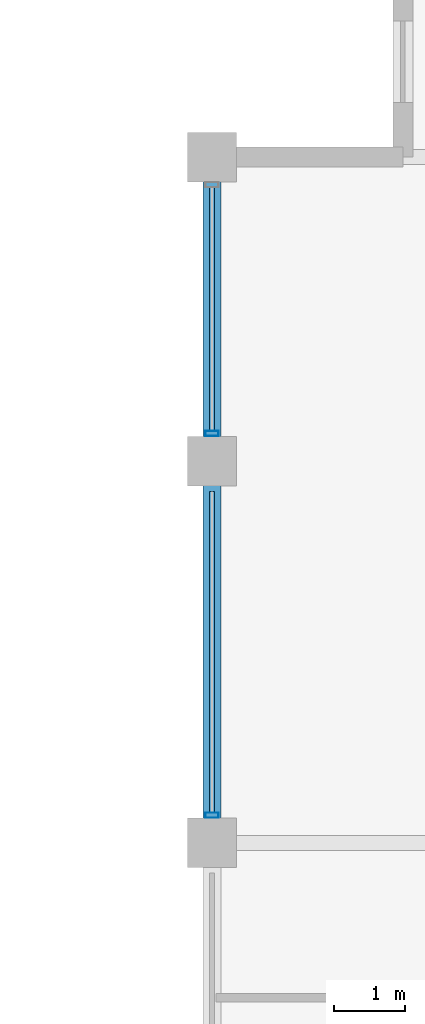
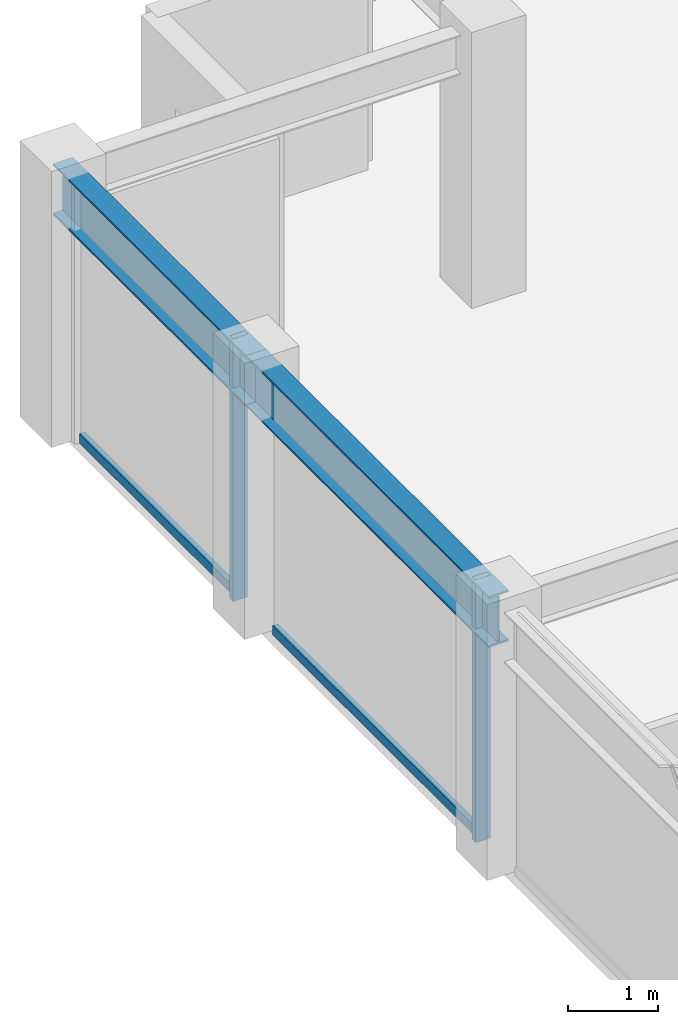
# One storey, part 13 of 31: 4 members, 2 beams, 1 element without a shape of its own.
"""IFC4 building model written with IfcOpenShell, lengths in metres."""

import ifcopenshell
import ifcopenshell.guid

model = None  # the IFC model being written
_history = None  # IfcOwnerHistory: only IFC2X3 demands one
_inside = {}  # id of a spatial element -> (the spatial element, [elements in it])
_under = {}  # id of a project, library or spatial element -> (it, [spatial elements below it])
_declared = {}  # id of a project -> (the project, [libraries it declares])
_typed = {}  # id of a type object -> (the type object, [elements of that type])
_made_of = {}  # id of a material, layer set ... -> (it, [elements and type objects made of it])


def new_model(schema):
    """Start an empty IFC model of exactly this schema.

    Asked for "IFC4X3", IfcOpenShell would pick the latest addendum, in which some entities
    have other attributes; the version numbers below select the first issue.
    IFC2X3 requires an IfcOwnerHistory on every rooted entity: one is made here for all.
    """
    global model, _history
    if schema == "IFC4X3":
        model = ifcopenshell.file(schema_version=(4, 3, 0, 0))
    else:
        model = ifcopenshell.file(schema=schema)
    _inside.clear()
    _under.clear()
    _declared.clear()
    _typed.clear()
    _made_of.clear()
    _history = None
    if model.schema == "IFC2X3":
        org = make("IfcOrganization", Name="unknown")
        user = make(
            "IfcPersonAndOrganization",
            ThePerson=make("IfcPerson", FamilyName="unknown"),
            TheOrganization=org,
        )
        app = make(
            "IfcApplication",
            ApplicationDeveloper=org,
            Version="unknown",
            ApplicationFullName="unknown",
            ApplicationIdentifier="unknown",
        )
        _history = make(
            "IfcOwnerHistory",
            OwningUser=user,
            OwningApplication=app,
            ChangeAction="ADDED",
            CreationDate=0,
        )
    return model


def make(cls, **values):
    """One entity of the class cls with the attributes given. An attribute that is None is left unset."""
    return model.create_entity(
        cls, **{name: value for name, value in values.items() if value is not None}
    )


def rooted(cls, **values):
    """An entity with a GlobalId (a new one), such as an element, a storey or a relation."""
    return make(cls, GlobalId=ifcopenshell.guid.new(), OwnerHistory=_history, **values)


def si_unit(unit_type, name, prefix=None):
    """IfcSIUnit, for example si_unit("LENGTHUNIT", "METRE", prefix="MILLI")."""
    return make("IfcSIUnit", UnitType=unit_type, Prefix=prefix, Name=name)


def assignment(units):
    """IfcUnitAssignment: the units of a project."""
    return None if units is None else make("IfcUnitAssignment", Units=units)


def point(xyz):
    """IfcCartesianPoint."""
    return None if xyz is None else make("IfcCartesianPoint", Coordinates=xyz)


def direction(xyz):
    """IfcDirection."""
    return None if xyz is None else make("IfcDirection", DirectionRatios=xyz)


def frame(location, z_axis=None, x_axis=None):
    """IfcAxis2Placement3D, a coordinate frame: its origin and axes. An axis left out is left unset."""
    return make(
        "IfcAxis2Placement3D",
        Location=point(location),
        Axis=direction(z_axis),
        RefDirection=direction(x_axis),
    )


def frame_2d(location, x_axis=None):
    """IfcAxis2Placement2D, a coordinate frame in the plane: its origin and x axis."""
    return make(
        "IfcAxis2Placement2D", Location=point(location), RefDirection=direction(x_axis)
    )


def origin():
    """The frame at (0, 0, 0) with its axes left unset."""
    return frame((0.0, 0.0, 0.0))


def origin_2d():
    """The frame at (0, 0) in the plane with its x axis left unset."""
    return frame_2d((0.0, 0.0))


def place(relative_to, where):
    """IfcLocalPlacement: puts the frame where relative to a parent placement (None: the world)."""
    return make(
        "IfcLocalPlacement", PlacementRelTo=relative_to, RelativePlacement=where
    )


def context(
    kind, dimensions, precision=None, world=None, true_north=None, identifier=None
):
    """IfcGeometricRepresentationContext, for example the 3D "Model" context."""
    return make(
        "IfcGeometricRepresentationContext",
        ContextIdentifier=identifier,
        ContextType=kind,
        CoordinateSpaceDimension=dimensions,
        Precision=precision,
        WorldCoordinateSystem=world,
        TrueNorth=true_north,
    )


def subcontext(parent, identifier, kind, view, scale=None):
    """IfcGeometricRepresentationSubContext, for example "Body" below "Model"."""
    return make(
        "IfcGeometricRepresentationSubContext",
        ContextIdentifier=identifier,
        ContextType=kind,
        ParentContext=parent,
        TargetScale=scale,
        TargetView=view,
    )


def project(units=None, contexts=None):
    """IfcProject with its units and contexts."""
    return rooted(
        "IfcProject",
        Name="project",
        RepresentationContexts=contexts,
        UnitsInContext=assignment(units),
    )


def spatial(cls, under=None, at=None, **own):
    """A site, building, storey or space (cls), placed at a placement, below another one or the project."""
    s = rooted(cls, ObjectPlacement=at, **own)
    if under is not None:
        _under.setdefault(under.id(), (under, []))[1].append(s)
    return s


def profile(cls, at=None, kind="AREA", **sizes):
    """A parametric profile (cls). Its sizes go by their IFC names, for example OverallWidth=200.0."""
    return make(cls, ProfileType=kind, Position=at, **sizes)


def hollow_rectangle(**sizes):
    """IfcRectangleHollowProfileDef."""
    return profile("IfcRectangleHollowProfileDef", **sizes)


def i_section(**sizes):
    """IfcIShapeProfileDef."""
    return profile("IfcIShapeProfileDef", **sizes)


def extrude(swept, where, along, depth):
    """IfcExtrudedAreaSolid: the profile swept, set in the frame where, extruded along a direction by depth."""
    return make(
        "IfcExtrudedAreaSolid",
        SweptArea=swept,
        Position=where,
        ExtrudedDirection=direction(along),
        Depth=depth,
    )


def shape(context_of_items, identifier, shape_type, items):
    """IfcShapeRepresentation: the items that make up one representation, for example the "Body"."""
    return make(
        "IfcShapeRepresentation",
        ContextOfItems=context_of_items,
        RepresentationIdentifier=identifier,
        RepresentationType=shape_type,
        Items=items,
    )


def material(Name=None, Category=None):
    """IfcMaterial."""
    return make("IfcMaterial", Name=Name, Category=Category)


def layer(
    of_material, thickness, ventilated=None, Name=None, Category=None, Priority=None
):
    """IfcMaterialLayer: one layer of a wall or slab, of a material (None: an air gap)."""
    return make(
        "IfcMaterialLayer",
        Material=of_material,
        LayerThickness=thickness,
        IsVentilated=ventilated,
        Name=Name,
        Category=Category,
        Priority=Priority,
    )


def layer_set(layers, Name=None):
    """IfcMaterialLayerSet."""
    return make("IfcMaterialLayerSet", MaterialLayers=layers, LayerSetName=Name)


def material_profile(
    of_material, cross_section, Name=None, Category=None, Priority=None
):
    """IfcMaterialProfile: a cross section and its material."""
    return make(
        "IfcMaterialProfile",
        Name=Name,
        Material=of_material,
        Profile=cross_section,
        Priority=Priority,
        Category=Category,
    )


def profile_set(profiles, Name=None, composite=None):
    """IfcMaterialProfileSet."""
    return make(
        "IfcMaterialProfileSet",
        Name=Name,
        MaterialProfiles=profiles,
        CompositeProfile=composite,
    )


def made_of(thing, what):
    """Note that an element or type object is made of a material, layer set ...; save() writes the relation."""
    if what is not None:
        _made_of.setdefault(what.id(), (what, []))[1].append(thing)
    return thing


def type_object(cls, material=None, **own):
    """A type object (cls), such as IfcWallType, which elements share."""
    return made_of(rooted(cls, **own), material)


def element(
    cls,
    number,
    at=None,
    inside=None,
    cuts=None,
    type_object=None,
    material=None,
    context=None,
    identifier="Body",
    shape_type=None,
    held_by="IfcProductDefinitionShape",
    body=None,
    shapes=None,
    **own,
):
    """One element of the class cls, such as IfcWall. Its Tag is "e" and its number.

    at: its placement. inside: the storey or other place that contains it. cuts: it is an
    opening in that element (IfcRelVoidsElement). A single representation is given by context,
    identifier, shape_type and body (its items); several are given by shapes. held_by: the class
    of the entity that holds the representations. save() writes the other relations.
    """
    e = rooted(cls, Tag="e%d" % number, ObjectPlacement=at, **own)
    if body is not None:
        shapes = [shape(context, identifier, shape_type, body)]
    if shapes is not None:
        e.Representation = make(held_by, Representations=shapes)
    if inside is not None:
        _inside.setdefault(inside.id(), (inside, []))[1].append(e)
    if cuts is not None:
        rooted(
            "IfcRelVoidsElement", RelatingBuildingElement=cuts, RelatedOpeningElement=e
        )
    if type_object is not None:
        _typed.setdefault(type_object.id(), (type_object, []))[1].append(e)
    return made_of(e, material)


def aggregate(whole, parts):
    """IfcRelAggregates: a whole, such as a stair, and the parts it consists of."""
    return rooted("IfcRelAggregates", RelatingObject=whole, RelatedObjects=parts)


def save(model, path):
    """Write the relations noted so far, then the file.

    IfcRelAggregates (storeys below a building ...), IfcRelContainedInSpatialStructure (elements
    in a storey), IfcRelDefinesByType, IfcRelAssociatesMaterial and IfcRelDeclares: one each for
    every whole, place, type object, material and project.
    """
    for whole, parts in _under.values():
        aggregate(whole, parts)
    for where, things in _inside.values():
        rooted(
            "IfcRelContainedInSpatialStructure",
            RelatedElements=things,
            RelatingStructure=where,
        )
    for kind, things in _typed.values():
        rooted("IfcRelDefinesByType", RelatedObjects=things, RelatingType=kind)
    for what, things in _made_of.values():
        rooted("IfcRelAssociatesMaterial", RelatedObjects=things, RelatingMaterial=what)
    for by, libraries in _declared.values():
        rooted("IfcRelDeclares", RelatingContext=by, RelatedDefinitions=libraries)
    model.write(path)


model = new_model("IFC4")

# Units and contexts
model_context = context("Model", 3, precision=1e-05, world=origin(), true_north=direction((0.0, 1.0)))
body_context = subcontext(model_context, "Body", "Model", "MODEL_VIEW")
ifc_project = project(units=[si_unit("LENGTHUNIT", "METRE"), si_unit("AREAUNIT", "SQUARE_METRE"), si_unit("VOLUMEUNIT", "CUBIC_METRE"), si_unit("PLANEANGLEUNIT", "RADIAN"), si_unit("MASSUNIT", "GRAM", prefix="KILO")], contexts=[model_context])

# Site, building, storey
site_placement = place(None, origin())
site = spatial("IfcSite", under=ifc_project, at=site_placement, CompositionType="ELEMENT")
building_placement = place(site_placement, origin())
building = spatial("IfcBuilding", under=site, at=building_placement, Name="Surkhivell Harbour Commons", CompositionType="ELEMENT")
storey_placement = place(building_placement, frame((0.0, 0.0, 315.0)))
storey = spatial("IfcBuildingStorey", under=building, at=storey_placement, Name="L82", CompositionType="ELEMENT", Elevation=315.0)

# Beams
ifc_material_1 = material(Name="Steel S355", Category="steel")
ifc_material_profile_1 = material_profile(ifc_material_1, i_section(OverallWidth=0.256103515625, OverallDepth=0.693115234375, WebThickness=0.014404296875, FlangeThickness=0.023681640625, at=origin_2d()), Name="UB686x254x170")
ifc_profile_set_1 = profile_set([ifc_material_profile_1], Name="Steel S355")
beam_type = type_object("IfcBeamType", Name="BM-SPN-686", PredefinedType="SPANDREL", material=ifc_profile_set_1)
beam_1_placement = place(storey_placement, frame((-27.0, 10.800048828125, 3.223388671875), z_axis=(0.0, 1.0, 0.0), x_axis=(-1.0, 0.0, 0.0)))
element("IfcBeam", 1, at=beam_1_placement, inside=storey, type_object=beam_type, Name="L82 Tube Spandrel (-27.0,10.8)", PredefinedType="SPANDREL", context=body_context, shape_type="SweptSolid", body=[
    extrude(i_section(OverallWidth=0.256103515625, OverallDepth=0.693115234375, WebThickness=0.014404296875, FlangeThickness=0.023681640625, at=origin_2d()), origin(), (0.0, 0.0, 1.0), 5.39990234375),
])
beam_2_placement = place(storey_placement, frame((-27.0, 16.199951171875, 3.223388671875), z_axis=(0.0, 1.0, 0.0), x_axis=(-1.0, 0.0, 0.0)))
element("IfcBeam", 2, at=beam_2_placement, inside=storey, type_object=beam_type, Name="L82 Tube Spandrel (-27.0,16.2)", PredefinedType="SPANDREL", context=body_context, shape_type="SweptSolid", body=[
    extrude(i_section(OverallWidth=0.256103515625, OverallDepth=0.693115234375, WebThickness=0.014404296875, FlangeThickness=0.023681640625, at=origin_2d()), origin(), (0.0, 0.0, 1.0), 4.300048828125),
])

# Curtain wall, members
ifc_material_2 = material(Name="Anodised pale-metal aluminium and insulated glazing", Category="aluminium")
ifc_layer = layer(ifc_material_2, 0.175048828125)
ifc_layer_set = layer_set([ifc_layer], Name="Anodised pale-metal aluminium and insulated glazing")
curtain_wall_type = type_object("IfcCurtainWallType", Name="CW-SYS-Z4", PredefinedType="NOTDEFINED", material=ifc_layer_set)
curtain_wall_placement = place(storey_placement, origin())
curtain_wall = element("IfcCurtainWall", 3, at=curtain_wall_placement, inside=storey, type_object=curtain_wall_type, Name="L82 Curtain Wall CW-L82-E12R2", PredefinedType="NOTDEFINED")
ifc_material_3 = material(Name="Anodised pale-metal aluminium alloy 6063-T6", Category="aluminium")
ifc_material_profile_2 = material_profile(ifc_material_3, hollow_rectangle(XDim=0.074951171875, YDim=0.18994140625, WallThickness=0.00390625, at=origin_2d()), Name="ALU-MULL-75x190")
ifc_profile_set_2 = profile_set([ifc_material_profile_2], Name="Anodised pale-metal aluminium alloy 6063-T6")
member_type_1 = type_object("IfcMemberType", Name="CWM-190", PredefinedType="MULLION", material=ifc_profile_set_2)
member_1_placement = place(storey_placement, frame((-27.0, 11.189453125, 0.0), z_axis=(0.0, 0.0, 1.0), x_axis=(0.0, 1.0, 0.0)))
member_1 = element("IfcMember", 4, at=member_1_placement, type_object=member_type_1, Name="CW-Z4 mullion 2", PredefinedType="MULLION", context=body_context, shape_type="SweptSolid", body=[
    extrude(hollow_rectangle(XDim=0.074951171875, YDim=0.18994140625, WallThickness=0.00390625, at=origin_2d()), origin(), (0.0, 0.0, 1.0), 3.570068359375),
])
member_2_placement = place(storey_placement, frame((-27.0, 16.589599609375, 0.0), z_axis=(0.0, 0.0, 1.0), x_axis=(0.0, 1.0, 0.0)))
member_2 = element("IfcMember", 5, at=member_2_placement, type_object=member_type_1, Name="CW-Z4 mullion 3", PredefinedType="MULLION", context=body_context, shape_type="SweptSolid", body=[
    extrude(hollow_rectangle(XDim=0.074951171875, YDim=0.18994140625, WallThickness=0.00390625, at=origin_2d()), origin(), (0.0, 0.0, 1.0), 3.570068359375),
])
ifc_material_4 = material(Name="Champagne anodised aluminium alloy 6063-T6", Category="aluminium")
ifc_material_profile_3 = material_profile(ifc_material_4, hollow_rectangle(XDim=0.070068359375, YDim=0.1298828125, WallThickness=0.00341796875, at=origin_2d()), Name="ALU-TRAN-70x130")
ifc_profile_set_3 = profile_set([ifc_material_profile_3], Name="Champagne anodised aluminium alloy 6063-T6")
member_type_2 = type_object("IfcMemberType", Name="CWT-130", PredefinedType="USERDEFINED", material=ifc_profile_set_3)
member_3_placement = place(storey_placement, frame((-27.0, 11.22705078125, 0.06494140625), z_axis=(0.0, 1.0, 0.0), x_axis=(-1.0, 0.0, 0.0)))
member_3 = element("IfcMember", 6, at=member_3_placement, type_object=member_type_2, Name="CW-Z4 transom 2.1", ObjectType="TRANSOM", PredefinedType="USERDEFINED", context=body_context, shape_type="SweptSolid", body=[
    extrude(hollow_rectangle(XDim=0.070068359375, YDim=0.1298828125, WallThickness=0.00341796875, at=origin_2d()), origin(), (0.0, 0.0, 1.0), 4.5458984375),
])
member_4_placement = place(storey_placement, frame((-27.0, 16.626953125, 0.06494140625), z_axis=(0.0, 1.0, 0.0), x_axis=(-1.0, 0.0, 0.0)))
member_4 = element("IfcMember", 7, at=member_4_placement, type_object=member_type_2, Name="CW-Z4 transom 3.1", ObjectType="TRANSOM", PredefinedType="USERDEFINED", context=body_context, shape_type="SweptSolid", body=[
    extrude(hollow_rectangle(XDim=0.070068359375, YDim=0.1298828125, WallThickness=0.00341796875, at=origin_2d()), origin(), (0.0, 0.0, 1.0), 3.446044921875),
])
aggregate(curtain_wall, [member_1, member_3, member_2, member_4])

save(model, "model.ifc")
